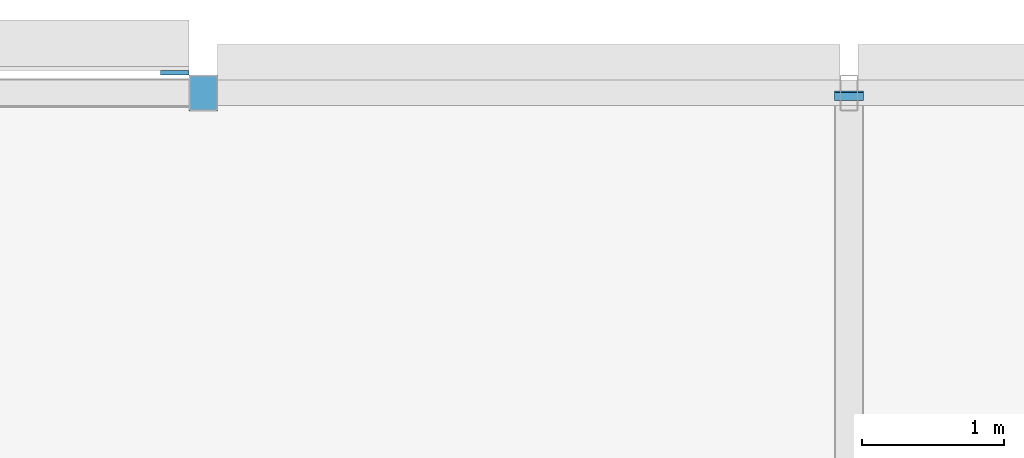
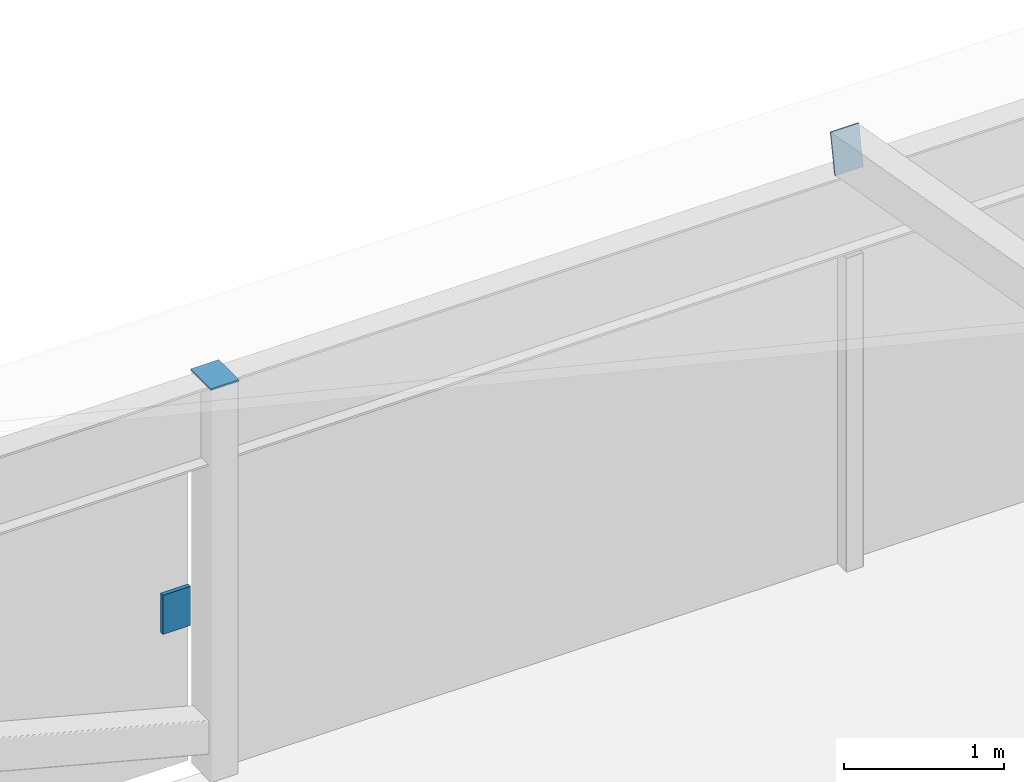
# One storey, part 38 of 46: 3 discrete accessories.
"""IFC4 building model written with IfcOpenShell, lengths in metres."""

from ifc_helpers import new_model, si_unit, direction, frame, origin, origin_2d, place, context, subcontext, project, spatial, rectangle, extrude, material, type_object, element, save


model = new_model("IFC4")

# Units and contexts
model_context = context("Model", 3, precision=1e-05, world=origin(), true_north=direction((0.0, 1.0)))
body_context = subcontext(model_context, "Body", "Model", "MODEL_VIEW")
ifc_project = project(units=[si_unit("LENGTHUNIT", "METRE"), si_unit("AREAUNIT", "SQUARE_METRE"), si_unit("VOLUMEUNIT", "CUBIC_METRE"), si_unit("PLANEANGLEUNIT", "RADIAN"), si_unit("MASSUNIT", "GRAM", prefix="KILO")], contexts=[model_context])

# Site, building, storey
site_placement = place(None, origin())
site = spatial("IfcSite", under=ifc_project, at=site_placement, CompositionType="ELEMENT")
building_placement = place(site_placement, origin())
building = spatial("IfcBuilding", under=site, at=building_placement, Name="Madar Terraces", CompositionType="ELEMENT")
storey_placement = place(building_placement, frame((0.0, 0.0, 317.300048828125)))
storey = spatial("IfcBuildingStorey", under=building, at=storey_placement, Name="L82", CompositionType="ELEMENT", Elevation=317.300048828125)

# Discrete accessories
ifc_material_1 = material(Name="Steel plate ASTM A36, galvanised", Category="steel")
discrete_accessory_type_1 = type_object("IfcDiscreteAccessoryType", Name="Hollow section end plate", PredefinedType="BRACKET", material=ifc_material_1)
discrete_accessory_1_placement = place(storey_placement, frame((28.800048828125, 46.773681640625, 3.150146484375), z_axis=(0.0, 0.982872186934, -0.18428853505), x_axis=(-1.0, 0.0, 0.0)))
element("IfcDiscreteAccessory", 1, at=discrete_accessory_1_placement, inside=storey, type_object=discrete_accessory_type_1, Name="Hollow section end plate", PredefinedType="BRACKET", context=body_context, shape_type="SweptSolid", body=[
    extrude(rectangle(XDim=0.203125, YDim=0.3046875, at=origin_2d()), origin(), (0.0, 0.0, 1.0), 0.011962890625),
])
discrete_accessory_2_placement = place(storey_placement, frame((24.239990234375, 46.800048828125, 3.0), z_axis=(0.0, 0.0, 1.0), x_axis=(1.0, 0.0, 0.0)))
element("IfcDiscreteAccessory", 2, at=discrete_accessory_2_placement, inside=storey, type_object=discrete_accessory_type_1, Name="Hollow section end plate", PredefinedType="BRACKET", context=body_context, shape_type="SweptSolid", body=[
    extrude(rectangle(XDim=0.203125, YDim=0.25390625, at=origin_2d()), origin(), (0.0, 0.0, 1.0), 0.011962890625),
])
ifc_material_2 = material(Name="Steel, galvanised", Category="steel")
discrete_accessory_type_2 = type_object("IfcDiscreteAccessoryType", Name="Louvre bank bracket", PredefinedType="BRACKET", material=ifc_material_2)
discrete_accessory_3_placement = place(storey_placement, frame((24.038330078125, 46.94189453125, 1.048828125), z_axis=(0.0, 0.0, 1.0), x_axis=(-1.0, 0.0, 0.0)))
element("IfcDiscreteAccessory", 3, at=discrete_accessory_3_placement, inside=storey, type_object=discrete_accessory_type_2, Name="Louvre bank bracket", PredefinedType="BRACKET", context=body_context, shape_type="SweptSolid", body=[
    extrude(rectangle(XDim=0.199951171875, YDim=0.030029296875, at=origin_2d()), origin(), (0.0, 0.0, 1.0), 0.300048828125),
])

save(model, "model.ifc")
